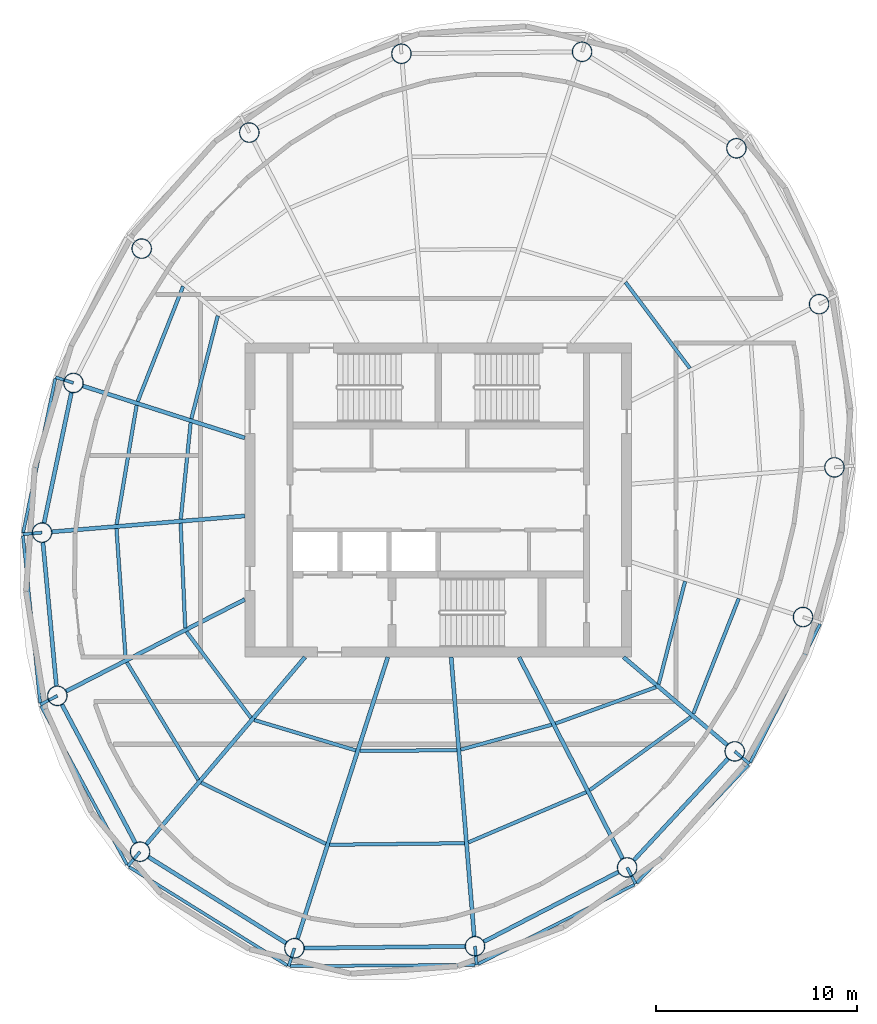
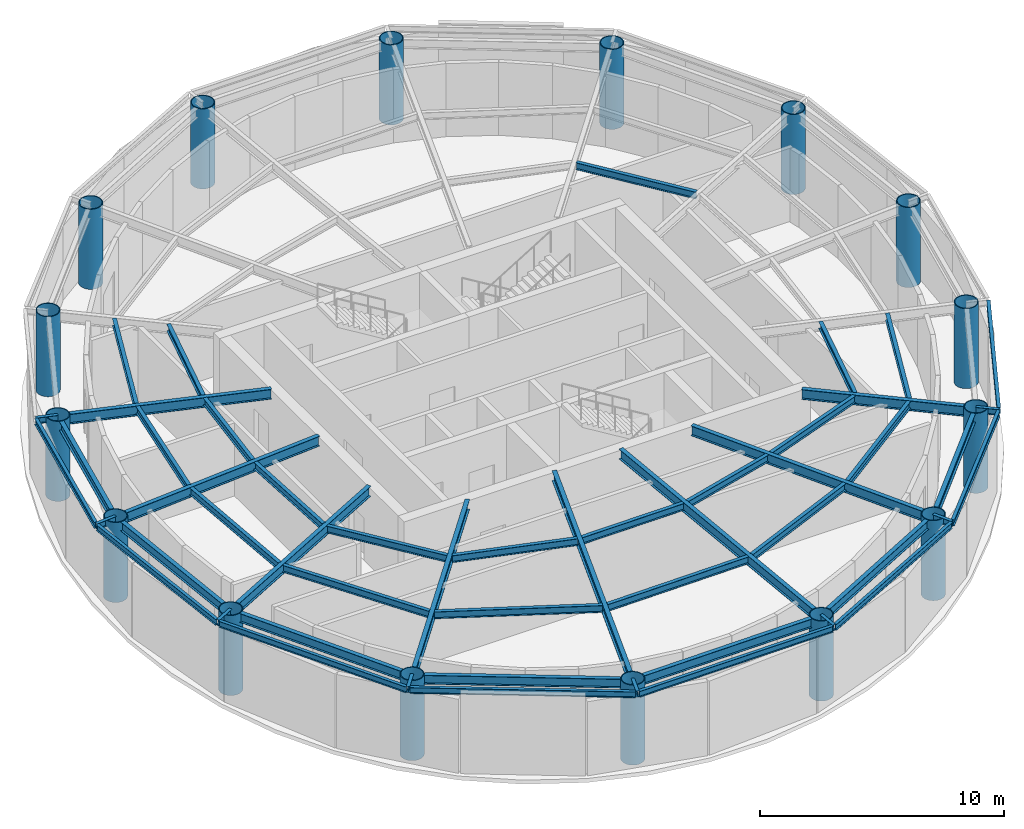
# One storey, part 1 of 6: 50 beams, 16 columns.
"""IFC4 building model written with IfcOpenShell, lengths in metres."""

from ifc_helpers import new_model, si_unit, direction, frame, origin, origin_2d, place, context, subcontext, project, spatial, hollow_circle, i_section, extrude, material, material_profile, profile_set, type_object, element, save


model = new_model("IFC4")

# Units and contexts
model_context = context("Model", 3, precision=1e-05, world=origin(), true_north=direction((0.0, 1.0)))
body_context = subcontext(model_context, "Body", "Model", "MODEL_VIEW")
ifc_project = project(units=[si_unit("LENGTHUNIT", "METRE"), si_unit("AREAUNIT", "SQUARE_METRE"), si_unit("VOLUMEUNIT", "CUBIC_METRE"), si_unit("PLANEANGLEUNIT", "RADIAN"), si_unit("MASSUNIT", "GRAM", prefix="KILO")], contexts=[model_context])

# Site, building, storey
site_placement = place(None, origin())
site = spatial("IfcSite", under=ifc_project, at=site_placement, CompositionType="ELEMENT")
building_placement = place(site_placement, origin())
building = spatial("IfcBuilding", under=site, at=building_placement, Name="Vermilion Reach Broadcast Tower", CompositionType="ELEMENT")
storey_placement = place(building_placement, frame((0.0, 0.0, 308.699951171875)))
storey = spatial("IfcBuildingStorey", under=building, at=storey_placement, Name="L77 CROWN", CompositionType="ELEMENT", Elevation=308.699951171875)

# Columns
ifc_material_1 = material(Name="Concrete C60 infill in steel S460NL tube", Category="concrete")
ifc_material_profile_1 = material_profile(ifc_material_1, hollow_circle(Radius=0.5, WallThickness=0.0400390625, at=origin_2d()), Name="Concrete C60 infill in steel S460NL tube CFT 1000x40")
ifc_profile_set_1 = profile_set([ifc_material_profile_1], Name="Concrete C60 infill in steel S460NL tube")
column_type = type_object("IfcColumnType", Name="MC5 CFT 1000x40", PredefinedType="COLUMN", material=ifc_profile_set_1)
for number, where, z_axis, x_axis, name in (
    (1, (1.138427734375, 22.2470703125, 0.0), (0.0, 0.0, 1.0), (1.0, 0.0, 0.0), "Mega-column MC5-01"),
    (2, (-7.824951171875, 22.1494140625, 0.0), (0.0, 0.0, 1.0), (1.0, 0.0, 0.0), "Mega-column MC5-02"),
    (3, (-15.376953125, 18.23779296875, 0.0), (0.0, 0.0, 1.0), (1.0, 0.0, 0.0), "Mega-column MC5-03"),
    (4, (-20.717529296875, 12.476806640625, 0.0), (0.0, 0.0, 1.0), (1.0, 0.0, 0.0), "Mega-column MC5-04"),
    (5, (-24.10595703125, 5.809814453125, 0.0), (0.0, 0.0, 1.0), (1.0, 0.0, 0.0), "Mega-column MC5-05"),
    (6, (-25.665771484375, -1.620361328125, 0.0), (0.0, 0.0, 1.0), (1.0, 0.0, 0.0), "Mega-column MC5-06"),
    (7, (-24.905517578125, -9.72021484375, 0.0), (0.0, 0.0, 1.0), (1.0, 0.0, 0.0), "Mega-column MC5-07"),
    (8, (-20.799560546875, -17.457275390625, 0.0), (0.0, 0.0, 1.0), (1.0, 0.0, 0.0), "Mega-column MC5-08"),
    (9, (-13.138427734375, -22.2470703125, 0.0), (0.0, 0.0, 1.0), (1.0, 0.0, 0.0), "Mega-column MC5-09"),
    (10, (-4.175048828125, -22.1494140625, 0.0), (0.0, 0.0, 1.0), (1.0, 0.0, 0.0), "Mega-column MC5-10"),
    (11, (3.376953125, -18.23779296875, 0.0), (0.0, 0.0, 1.0), (1.0, 0.0, 0.0), "Mega-column MC5-11"),
    (12, (8.717529296875, -12.476806640625, 0.0), (0.0, 0.0, 1.0), (1.0, 0.0, 0.0), "Mega-column MC5-12"),
    (13, (12.10595703125, -5.809814453125, 0.0), (0.0, 0.0, 1.0), (1.0, 0.0, 0.0), "Mega-column MC5-13"),
    (14, (13.665771484375, 1.620361328125, 0.0), (0.0, 0.0, 1.0), (1.0, 0.0, 0.0), "Mega-column MC5-14"),
    (15, (12.905517578125, 9.72021484375, 0.0), (0.0, 0.0, 1.0), (1.0, 0.0, 0.0), "Mega-column MC5-15"),
    (16, (8.799560546875, 17.457275390625, 0.0), (0.0, 0.0, 1.0), (1.0, 0.0, 0.0), "Mega-column MC5-16"),
):
    element("IfcColumn", number, at=place(storey_placement, frame(where, z_axis=z_axis, x_axis=x_axis)), inside=storey, type_object=column_type, Name=name, PredefinedType="COLUMN", context=body_context, shape_type="SweptSolid", body=[
        extrude(hollow_circle(Radius=0.5, WallThickness=0.0400390625, at=origin_2d()), origin(), (0.0, 0.0, 1.0), 4.0),
    ])

# Beams
ifc_material_2 = material(Name="Steel S355J2", Category="steel")
ifc_material_profile_2 = material_profile(ifc_material_2, i_section(OverallWidth=0.14990234375, OverallDepth=0.300048828125, WebThickness=0.006591796875, FlangeThickness=0.009033203125, at=origin_2d()), Name="S355J2 HN 300x150x6.5x9")
ifc_profile_set_2 = profile_set([ifc_material_profile_2], Name="Steel S355J2")
beam_type_1 = type_object("IfcBeamType", Name="EB5 HN 300x150x6.5x9", PredefinedType="BEAM", material=ifc_profile_set_2)
beam_1_placement = place(storey_placement, frame((-25.00439453125, 6.019287109375, 3.85009765625), z_axis=(-0.204738436734, -0.978816720599, 0.0), x_axis=(0.978816720599, -0.204738436734, 0.0)))
element("IfcBeam", 17, at=beam_1_placement, inside=storey, type_object=beam_type_1, Name="Edge beam EB5-05", PredefinedType="BEAM", context=body_context, shape_type="SweptSolid", body=[
    extrude(i_section(OverallWidth=0.14990234375, OverallDepth=0.300048828125, WebThickness=0.006591796875, FlangeThickness=0.009033203125, at=origin_2d()), origin(), (0.0, 0.0, 1.0), 7.806884765625),
])
beam_2_placement = place(storey_placement, frame((-26.611083984375, -1.7734375, 3.85009765625), z_axis=(0.102011792202, -0.99478318957, 0.0), x_axis=(0.99478318957, 0.102011792202, 0.0)))
element("IfcBeam", 18, at=beam_2_placement, inside=storey, type_object=beam_type_1, Name="Edge beam EB5-06", PredefinedType="BEAM", context=body_context, shape_type="SweptSolid", body=[
    extrude(i_section(OverallWidth=0.14990234375, OverallDepth=0.300048828125, WebThickness=0.006591796875, FlangeThickness=0.009033203125, at=origin_2d()), origin(), (0.0, 0.0, 1.0), 8.34521484375),
])
beam_3_placement = place(storey_placement, frame((-25.7158203125, -10.22119140625, 3.85009765625), z_axis=(0.476526173128, -0.879160284774, 0.0), x_axis=(0.879160284774, 0.476526173128, 0.0)))
element("IfcBeam", 19, at=beam_3_placement, inside=storey, type_object=beam_type_1, Name="Edge beam EB5-07", PredefinedType="BEAM", context=body_context, shape_type="SweptSolid", body=[
    extrude(i_section(OverallWidth=0.14990234375, OverallDepth=0.300048828125, WebThickness=0.006591796875, FlangeThickness=0.009033203125, at=origin_2d()), origin(), (0.0, 0.0, 1.0), 8.9638671875),
])
beam_4_placement = place(storey_placement, frame((-21.341552734375, -18.212646484375, 3.85009765625), z_axis=(0.848928421209, -0.528507838791, 0.0), x_axis=(0.528507838791, 0.848928421209, 0.0)))
element("IfcBeam", 20, at=beam_4_placement, inside=storey, type_object=beam_type_1, Name="Edge beam EB5-08", PredefinedType="BEAM", context=body_context, shape_type="SweptSolid", body=[
    extrude(i_section(OverallWidth=0.14990234375, OverallDepth=0.300048828125, WebThickness=0.006591796875, FlangeThickness=0.009033203125, at=origin_2d()), origin(), (0.0, 0.0, 1.0), 9.24755859375),
])
beam_5_placement = place(storey_placement, frame((-13.346435546875, -23.140380859375, 3.85009765625), z_axis=(0.999971629622, 0.007532592595, 0.0), x_axis=(-0.007532592595, 0.999971629622, 0.0)))
element("IfcBeam", 21, at=beam_5_placement, inside=storey, type_object=beam_type_1, Name="Edge beam EB5-09", PredefinedType="BEAM", context=body_context, shape_type="SweptSolid", body=[
    extrude(i_section(OverallWidth=0.14990234375, OverallDepth=0.300048828125, WebThickness=0.006591796875, FlangeThickness=0.009033203125, at=origin_2d()), origin(), (0.0, 0.0, 1.0), 9.17236328125),
])
beam_6_placement = place(storey_placement, frame((-4.02685546875, -23.033935546875, 3.85009765625), z_axis=(0.891604217889, 0.452815545936, 0.0), x_axis=(-0.452815545936, 0.891604217889, 0.0)))
element("IfcBeam", 22, at=beam_6_placement, inside=storey, type_object=beam_type_1, Name="Edge beam EB5-10", PredefinedType="BEAM", context=body_context, shape_type="SweptSolid", body=[
    extrude(i_section(OverallWidth=0.14990234375, OverallDepth=0.300048828125, WebThickness=0.006591796875, FlangeThickness=0.009033203125, at=origin_2d()), origin(), (0.0, 0.0, 1.0), 8.70263671875),
])
beam_7_placement = place(storey_placement, frame((3.85400390625, -19.001708984375, 3.85009765625), z_axis=(0.687701793008, 0.725993280888, 0.0), x_axis=(-0.725993280888, 0.687701793008, 0.0)))
element("IfcBeam", 23, at=beam_7_placement, inside=storey, type_object=beam_type_1, Name="Edge beam EB5-11", PredefinedType="BEAM", context=body_context, shape_type="SweptSolid", body=[
    extrude(i_section(OverallWidth=0.14990234375, OverallDepth=0.300048828125, WebThickness=0.006591796875, FlangeThickness=0.009033203125, at=origin_2d()), origin(), (0.0, 0.0, 1.0), 8.05908203125),
])
beam_8_placement = place(storey_placement, frame((9.48291015625, -13.02734375, 3.85009765625), z_axis=(0.451232435887, 0.892406459414, 0.0), x_axis=(-0.892406459414, 0.451232435887, 0.0)))
element("IfcBeam", 24, at=beam_8_placement, inside=storey, type_object=beam_type_1, Name="Edge beam EB5-12", PredefinedType="BEAM", context=body_context, shape_type="SweptSolid", body=[
    extrude(i_section(OverallWidth=0.14990234375, OverallDepth=0.300048828125, WebThickness=0.006591796875, FlangeThickness=0.009033203125, at=origin_2d()), origin(), (0.0, 0.0, 1.0), 7.6943359375),
])
ifc_material_3 = material(Name="Steel S355J2", Category="steel")
ifc_material_profile_3 = material_profile(ifc_material_3, i_section(OverallWidth=0.199951171875, OverallDepth=0.5, WebThickness=0.010009765625, FlangeThickness=0.01611328125, at=origin_2d()), Name="S355J2 HN 500x200x10x16")
ifc_profile_set_3 = profile_set([ifc_material_profile_3], Name="Steel S355J2")
beam_type_2 = type_object("IfcBeamType", Name="G5 HN 500x200x10x16", PredefinedType="BEAM", material=ifc_profile_set_3)
beam_9_placement = place(storey_placement, frame((-15.60009765625, 3.080322265625, 3.75), z_axis=(-0.952178453449, 0.305542456604, 0.0), x_axis=(-0.305542456604, -0.952178453449, 0.0)))
element("IfcBeam", 25, at=beam_9_placement, inside=storey, type_object=beam_type_2, Name="Girder G5-05", PredefinedType="BEAM", context=body_context, shape_type="SweptSolid", body=[
    extrude(i_section(OverallWidth=0.199951171875, OverallDepth=0.5, WebThickness=0.010009765625, FlangeThickness=0.01611328125, at=origin_2d()), origin(), (0.0, 0.0, 1.0), 8.43310546875),
])
beam_10_placement = place(storey_placement, frame((-15.60009765625, -0.791015625, 3.75), z_axis=(-0.996624410075, -0.082096195058, 0.0), x_axis=(0.082096195058, -0.996624410075, 0.0)))
element("IfcBeam", 26, at=beam_10_placement, inside=storey, type_object=beam_type_2, Name="Girder G5-06", PredefinedType="BEAM", context=body_context, shape_type="SweptSolid", body=[
    extrude(i_section(OverallWidth=0.199951171875, OverallDepth=0.5, WebThickness=0.010009765625, FlangeThickness=0.01611328125, at=origin_2d()), origin(), (0.0, 0.0, 1.0), 9.599609375),
])
beam_11_placement = place(storey_placement, frame((-15.60009765625, -4.935791015625, 3.75), z_axis=(-0.889332502449, -0.457261085254, 0.0), x_axis=(0.457261085254, -0.889332502449, 0.0)))
element("IfcBeam", 27, at=beam_11_placement, inside=storey, type_object=beam_type_2, Name="Girder G5-07", PredefinedType="BEAM", context=body_context, shape_type="SweptSolid", body=[
    extrude(i_section(OverallWidth=0.199951171875, OverallDepth=0.5, WebThickness=0.010009765625, FlangeThickness=0.01611328125, at=origin_2d()), origin(), (0.0, 0.0, 1.0), 9.96337890625),
])
beam_12_placement = place(storey_placement, frame((-12.612548828125, -7.800048828125, 3.75), z_axis=(-0.646658335602, -0.762779782766, 0.0), x_axis=(0.762779782766, -0.646658335602, 0.0)))
element("IfcBeam", 28, at=beam_12_placement, inside=storey, type_object=beam_type_2, Name="Girder G5-08", PredefinedType="BEAM", context=body_context, shape_type="SweptSolid", body=[
    extrude(i_section(OverallWidth=0.199951171875, OverallDepth=0.5, WebThickness=0.010009765625, FlangeThickness=0.01611328125, at=origin_2d()), origin(), (0.0, 0.0, 1.0), 12.16064453125),
])
beam_13_placement = place(storey_placement, frame((-8.502685546875, -7.800048828125, 3.75), z_axis=(-0.305545401295, -0.952177508528, 0.0), x_axis=(0.952177508528, -0.305545401295, 0.0)))
element("IfcBeam", 29, at=beam_13_placement, inside=storey, type_object=beam_type_2, Name="Girder G5-09", PredefinedType="BEAM", context=body_context, shape_type="SweptSolid", body=[
    extrude(i_section(OverallWidth=0.199951171875, OverallDepth=0.5, WebThickness=0.010009765625, FlangeThickness=0.01611328125, at=origin_2d()), origin(), (0.0, 0.0, 1.0), 14.672607421875),
])
beam_14_placement = place(storey_placement, frame((-5.357421875, -7.800048828125, 3.75), z_axis=(0.082123744247, -0.996622140347, 0.0), x_axis=(0.996622140347, 0.082123744247, 0.0)))
element("IfcBeam", 30, at=beam_14_placement, inside=storey, type_object=beam_type_2, Name="Girder G5-10", PredefinedType="BEAM", context=body_context, shape_type="SweptSolid", body=[
    extrude(i_section(OverallWidth=0.199951171875, OverallDepth=0.5, WebThickness=0.010009765625, FlangeThickness=0.01611328125, at=origin_2d()), origin(), (0.0, 0.0, 1.0), 13.89794921875),
])
beam_15_placement = place(storey_placement, frame((-1.989501953125, -7.800048828125, 3.75), z_axis=(0.457258168112, -0.889334002327, 0.0), x_axis=(0.889334002327, 0.457258168112, 0.0)))
element("IfcBeam", 31, at=beam_15_placement, inside=storey, type_object=beam_type_2, Name="Girder G5-11", PredefinedType="BEAM", context=body_context, shape_type="SweptSolid", body=[
    extrude(i_section(OverallWidth=0.199951171875, OverallDepth=0.5, WebThickness=0.010009765625, FlangeThickness=0.01611328125, at=origin_2d()), origin(), (0.0, 0.0, 1.0), 11.236328125),
])
beam_16_placement = place(storey_placement, frame((3.20068359375, -7.800048828125, 3.75), z_axis=(0.762793125612, -0.646642596431, 0.0), x_axis=(0.646642596431, 0.762793125612, 0.0)))
element("IfcBeam", 32, at=beam_16_placement, inside=storey, type_object=beam_type_2, Name="Girder G5-12", PredefinedType="BEAM", context=body_context, shape_type="SweptSolid", body=[
    extrude(i_section(OverallWidth=0.199951171875, OverallDepth=0.5, WebThickness=0.010009765625, FlangeThickness=0.01611328125, at=origin_2d()), origin(), (0.0, 0.0, 1.0), 6.732421875),
])
ifc_material_4 = material(Name="Steel S355J2", Category="steel")
ifc_material_profile_4 = material_profile(ifc_material_4, i_section(OverallWidth=0.14990234375, OverallDepth=0.300048828125, WebThickness=0.006591796875, FlangeThickness=0.009033203125, at=origin_2d()), Name="S355J2 HN 300x150x6.5x9")
ifc_profile_set_4 = profile_set([ifc_material_profile_4], Name="Steel S355J2")
beam_type_3 = type_object("IfcBeamType", Name="GS5 HN 300x150x6.5x9", PredefinedType="BEAM", material=ifc_profile_set_4)
beam_17_placement = place(storey_placement, frame((-24.10595703125, 5.809814453125, 3.85009765625), z_axis=(-0.952228317443, 0.305387019141, 0.0), x_axis=(-0.305387019141, -0.952228317443, 0.0)))
element("IfcBeam", 33, at=beam_17_placement, inside=storey, type_object=beam_type_3, Name="Cantilever stub GS5-05", PredefinedType="BEAM", context=body_context, shape_type="SweptSolid", body=[
    extrude(i_section(OverallWidth=0.14990234375, OverallDepth=0.300048828125, WebThickness=0.006591796875, FlangeThickness=0.009033203125, at=origin_2d()), origin(), (0.0, 0.0, 1.0), 0.92724609375),
])
beam_18_placement = place(storey_placement, frame((-25.665771484375, -1.620361328125, 3.85009765625), z_axis=(-0.996634988565, -0.081967673925, 0.0), x_axis=(0.081967673925, -0.996634988565, 0.0)))
element("IfcBeam", 34, at=beam_18_placement, inside=storey, type_object=beam_type_3, Name="Cantilever stub GS5-06", PredefinedType="BEAM", context=body_context, shape_type="SweptSolid", body=[
    extrude(i_section(OverallWidth=0.14990234375, OverallDepth=0.300048828125, WebThickness=0.006591796875, FlangeThickness=0.009033203125, at=origin_2d()), origin(), (0.0, 0.0, 1.0), 0.9560546875),
])
beam_19_placement = place(storey_placement, frame((-24.905517578125, -9.72021484375, 3.85009765625), z_axis=(-0.88934146644, -0.457243650662, 0.0), x_axis=(0.457243650662, -0.88934146644, 0.0)))
element("IfcBeam", 35, at=beam_19_placement, inside=storey, type_object=beam_type_3, Name="Cantilever stub GS5-07", PredefinedType="BEAM", context=body_context, shape_type="SweptSolid", body=[
    extrude(i_section(OverallWidth=0.14990234375, OverallDepth=0.300048828125, WebThickness=0.006591796875, FlangeThickness=0.009033203125, at=origin_2d()), origin(), (0.0, 0.0, 1.0), 0.951416015625),
])
beam_20_placement = place(storey_placement, frame((-20.799560546875, -17.457275390625, 3.85009765625), z_axis=(-0.646665495652, -0.762773712665, 0.0), x_axis=(0.762773712665, -0.646665495652, 0.0)))
element("IfcBeam", 36, at=beam_20_placement, inside=storey, type_object=beam_type_3, Name="Cantilever stub GS5-08", PredefinedType="BEAM", context=body_context, shape_type="SweptSolid", body=[
    extrude(i_section(OverallWidth=0.14990234375, OverallDepth=0.300048828125, WebThickness=0.006591796875, FlangeThickness=0.009033203125, at=origin_2d()), origin(), (0.0, 0.0, 1.0), 0.937744140625),
])
beam_21_placement = place(storey_placement, frame((-13.138427734375, -22.2470703125, 3.85009765625), z_axis=(-0.305596628184, -0.95216106875, 0.0), x_axis=(0.95216106875, -0.305596628184, 0.0)))
element("IfcBeam", 37, at=beam_21_placement, inside=storey, type_object=beam_type_3, Name="Cantilever stub GS5-09", PredefinedType="BEAM", context=body_context, shape_type="SweptSolid", body=[
    extrude(i_section(OverallWidth=0.14990234375, OverallDepth=0.300048828125, WebThickness=0.006591796875, FlangeThickness=0.009033203125, at=origin_2d()), origin(), (0.0, 0.0, 1.0), 0.938720703125),
])
beam_22_placement = place(storey_placement, frame((-4.175048828125, -22.1494140625, 3.85009765625), z_axis=(0.082149174093, -0.996620044548, 0.0), x_axis=(0.996620044548, 0.082149174093, 0.0)))
element("IfcBeam", 38, at=beam_22_placement, inside=storey, type_object=beam_type_3, Name="Cantilever stub GS5-10", PredefinedType="BEAM", context=body_context, shape_type="SweptSolid", body=[
    extrude(i_section(OverallWidth=0.14990234375, OverallDepth=0.300048828125, WebThickness=0.006591796875, FlangeThickness=0.009033203125, at=origin_2d()), origin(), (0.0, 0.0, 1.0), 0.92431640625),
])
beam_23_placement = place(storey_placement, frame((3.376953125, -18.23779296875, 3.85009765625), z_axis=(0.457228572872, -0.889349218333, 0.0), x_axis=(0.889349218333, 0.457228572872, 0.0)))
element("IfcBeam", 39, at=beam_23_placement, inside=storey, type_object=beam_type_3, Name="Cantilever stub GS5-11", PredefinedType="BEAM", context=body_context, shape_type="SweptSolid", body=[
    extrude(i_section(OverallWidth=0.14990234375, OverallDepth=0.300048828125, WebThickness=0.006591796875, FlangeThickness=0.009033203125, at=origin_2d()), origin(), (0.0, 0.0, 1.0), 0.923828125),
])
beam_24_placement = place(storey_placement, frame((8.717529296875, -12.476806640625, 3.85009765625), z_axis=(0.762718692688, -0.64673038882, 0.0), x_axis=(0.64673038882, 0.762718692688, 0.0)))
element("IfcBeam", 40, at=beam_24_placement, inside=storey, type_object=beam_type_3, Name="Cantilever stub GS5-12", PredefinedType="BEAM", context=body_context, shape_type="SweptSolid", body=[
    extrude(i_section(OverallWidth=0.14990234375, OverallDepth=0.300048828125, WebThickness=0.006591796875, FlangeThickness=0.009033203125, at=origin_2d()), origin(), (0.0, 0.0, 1.0), 0.957763671875),
])
ifc_material_5 = material(Name="Steel S355J2", Category="steel")
ifc_material_profile_5 = material_profile(ifc_material_5, i_section(OverallWidth=0.199951171875, OverallDepth=0.449951171875, WebThickness=0.009033203125, FlangeThickness=0.013916015625, at=origin_2d()), Name="S355J2 HN 450x200x9x14")
ifc_profile_set_5 = profile_set([ifc_material_profile_5], Name="Steel S355J2")
beam_type_4 = type_object("IfcBeamType", Name="RB5 HN 450x200x9x14", PredefinedType="BEAM", material=ifc_profile_set_5)
beam_25_placement = place(storey_placement, frame((-24.208740234375, 5.3203125, 3.775146484375), z_axis=(-0.205444869285, -0.978668690459, 0.0), x_axis=(0.978668690459, -0.205444869285, 0.0)))
element("IfcBeam", 41, at=beam_25_placement, inside=storey, type_object=beam_type_4, Name="Ring beam RB5-05", PredefinedType="BEAM", context=body_context, shape_type="SweptSolid", body=[
    extrude(i_section(OverallWidth=0.199951171875, OverallDepth=0.449951171875, WebThickness=0.009033203125, FlangeThickness=0.013916015625, at=origin_2d()), origin(), (0.0, 0.0, 1.0), 6.591796875),
])
beam_26_placement = place(storey_placement, frame((-25.618896484375, -2.1181640625, 3.775146484375), z_axis=(0.093441399272, -0.995624781181, 0.0), x_axis=(0.995624781181, 0.093441399272, 0.0)))
element("IfcBeam", 42, at=beam_26_placement, inside=storey, type_object=beam_type_4, Name="Ring beam RB5-06", PredefinedType="BEAM", context=body_context, shape_type="SweptSolid", body=[
    extrude(i_section(OverallWidth=0.199951171875, OverallDepth=0.449951171875, WebThickness=0.009033203125, FlangeThickness=0.013916015625, at=origin_2d()), origin(), (0.0, 0.0, 1.0), 7.135498046875),
])
beam_27_placement = place(storey_placement, frame((-24.671142578125, -10.161865234375, 3.775146484375), z_axis=(0.468767917375, -0.883321368269, 0.0), x_axis=(0.883321368269, 0.468767917375, 0.0)))
element("IfcBeam", 43, at=beam_27_placement, inside=storey, type_object=beam_type_4, Name="Ring beam RB5-07", PredefinedType="BEAM", context=body_context, shape_type="SweptSolid", body=[
    extrude(i_section(OverallWidth=0.199951171875, OverallDepth=0.449951171875, WebThickness=0.009033203125, FlangeThickness=0.013916015625, at=origin_2d()), origin(), (0.0, 0.0, 1.0), 7.759033203125),
])
beam_28_placement = place(storey_placement, frame((-20.375732421875, -17.722412109375, 3.775146484375), z_axis=(0.847914653245, -0.530132757724, 0.0), x_axis=(0.530132757724, 0.847914653245, 0.0)))
element("IfcBeam", 44, at=beam_28_placement, inside=storey, type_object=beam_type_4, Name="Ring beam RB5-08", PredefinedType="BEAM", context=body_context, shape_type="SweptSolid", body=[
    extrude(i_section(OverallWidth=0.199951171875, OverallDepth=0.449951171875, WebThickness=0.009033203125, FlangeThickness=0.013916015625, at=origin_2d()), origin(), (0.0, 0.0, 1.0), 8.035400390625),
])
beam_29_placement = place(storey_placement, frame((-12.638427734375, -22.24169921875, 3.775146484375), z_axis=(0.999940445231, 0.010913569149, 0.0), x_axis=(-0.010913569149, 0.999940445231, 0.0)))
element("IfcBeam", 45, at=beam_29_placement, inside=storey, type_object=beam_type_4, Name="Ring beam RB5-09", PredefinedType="BEAM", context=body_context, shape_type="SweptSolid", body=[
    extrude(i_section(OverallWidth=0.199951171875, OverallDepth=0.449951171875, WebThickness=0.009033203125, FlangeThickness=0.013916015625, at=origin_2d()), origin(), (0.0, 0.0, 1.0), 7.9638671875),
])
beam_30_placement = place(storey_placement, frame((-3.731201171875, -21.91943359375, 3.775146484375), z_axis=(0.887960248279, 0.459920207729, 0.0), x_axis=(-0.459920207729, 0.887960248279, 0.0)))
element("IfcBeam", 46, at=beam_30_placement, inside=storey, type_object=beam_type_4, Name="Ring beam RB5-10", PredefinedType="BEAM", context=body_context, shape_type="SweptSolid", body=[
    extrude(i_section(OverallWidth=0.199951171875, OverallDepth=0.449951171875, WebThickness=0.009033203125, FlangeThickness=0.013916015625, at=origin_2d()), origin(), (0.0, 0.0, 1.0), 7.5048828125),
])
beam_31_placement = place(storey_placement, frame((3.716796875, -17.87109375, 3.775146484375), z_axis=(0.679837550075, 0.733362738014, 0.0), x_axis=(-0.733362738014, 0.679837550075, 0.0)))
element("IfcBeam", 47, at=beam_31_placement, inside=storey, type_object=beam_type_4, Name="Ring beam RB5-11", PredefinedType="BEAM", context=body_context, shape_type="SweptSolid", body=[
    extrude(i_section(OverallWidth=0.199951171875, OverallDepth=0.449951171875, WebThickness=0.009033203125, FlangeThickness=0.013916015625, at=origin_2d()), origin(), (0.0, 0.0, 1.0), 6.85546875),
])
ifc_material_6 = material(Name="Steel S355J2", Category="steel")
ifc_material_profile_6 = material_profile(ifc_material_6, i_section(OverallWidth=0.175048828125, OverallDepth=0.35009765625, WebThickness=0.007080078125, FlangeThickness=0.010986328125, at=origin_2d()), Name="S355J2 HN 350x175x7x11")
ifc_profile_set_6 = profile_set([ifc_material_profile_6], Name="Steel S355J2")
beam_type_5 = type_object("IfcBeamType", Name="SB5 HN 350x175x7x11", PredefinedType="BEAM", material=ifc_profile_set_6)
beam_32_placement = place(storey_placement, frame((-16.940185546875, 9.1435546875, 3.824951171875), z_axis=(-0.248729575729, -0.968572969971, 0.0), x_axis=(0.968572969971, -0.248729575729, 0.0)))
element("IfcBeam", 48, at=beam_32_placement, inside=storey, type_object=beam_type_5, Name="Secondary beam SB5-04-1", PredefinedType="BEAM", context=body_context, shape_type="SweptSolid", body=[
    extrude(i_section(OverallWidth=0.175048828125, OverallDepth=0.35009765625, WebThickness=0.007080078125, FlangeThickness=0.010986328125, at=origin_2d()), origin(), (0.0, 0.0, 1.0), 5.27294921875),
])
beam_33_placement = place(storey_placement, frame((-18.6630859375, 10.604248046875, 3.824951171875), z_axis=(-0.366931189603, -0.930248086317, 0.0), x_axis=(0.930248086317, -0.366931189603, 0.0)))
element("IfcBeam", 49, at=beam_33_placement, inside=storey, type_object=beam_type_5, Name="Secondary beam SB5-04-2", PredefinedType="BEAM", context=body_context, shape_type="SweptSolid", body=[
    extrude(i_section(OverallWidth=0.175048828125, OverallDepth=0.35009765625, WebThickness=0.007080078125, FlangeThickness=0.010986328125, at=origin_2d()), origin(), (0.0, 0.0, 1.0), 6.141357421875),
])
beam_34_placement = place(storey_placement, frame((-18.287109375, 3.837646484375, 3.824951171875), z_axis=(-0.102113775264, -0.994772726255, 0.0), x_axis=(0.994772726255, -0.102113775264, 0.0)))
element("IfcBeam", 50, at=beam_34_placement, inside=storey, type_object=beam_type_5, Name="Secondary beam SB5-05-1", PredefinedType="BEAM", context=body_context, shape_type="SweptSolid", body=[
    extrude(i_section(OverallWidth=0.175048828125, OverallDepth=0.35009765625, WebThickness=0.007080078125, FlangeThickness=0.010986328125, at=origin_2d()), origin(), (0.0, 0.0, 1.0), 4.815185546875),
])
beam_35_placement = place(storey_placement, frame((-20.969970703125, 4.698486328125, 3.824951171875), z_axis=(-0.16532337011, -0.986239414795, 0.0), x_axis=(0.986239414795, -0.16532337011, 0.0)))
element("IfcBeam", 51, at=beam_35_placement, inside=storey, type_object=beam_type_5, Name="Secondary beam SB5-05-2", PredefinedType="BEAM", context=body_context, shape_type="SweptSolid", body=[
    extrude(i_section(OverallWidth=0.175048828125, OverallDepth=0.35009765625, WebThickness=0.007080078125, FlangeThickness=0.010986328125, at=origin_2d()), origin(), (0.0, 0.0, 1.0), 5.99560546875),
])
beam_36_placement = place(storey_placement, frame((-18.78466796875, -1.153564453125, 3.824951171875), z_axis=(0.043557530017, -0.999050920413, 0.0), x_axis=(0.999050920413, 0.043557530017, 0.0)))
element("IfcBeam", 52, at=beam_36_placement, inside=storey, type_object=beam_type_5, Name="Secondary beam SB5-06-1", PredefinedType="BEAM", context=body_context, shape_type="SweptSolid", body=[
    extrude(i_section(OverallWidth=0.175048828125, OverallDepth=0.35009765625, WebThickness=0.007080078125, FlangeThickness=0.010986328125, at=origin_2d()), origin(), (0.0, 0.0, 1.0), 5.19580078125),
])
beam_37_placement = place(storey_placement, frame((-21.97119140625, -1.416259765625, 3.824951171875), z_axis=(0.070586780458, -0.997505642302, 0.0), x_axis=(0.997505642302, 0.070586780458, 0.0)))
element("IfcBeam", 53, at=beam_37_placement, inside=storey, type_object=beam_type_5, Name="Secondary beam SB5-06-2", PredefinedType="BEAM", context=body_context, shape_type="SweptSolid", body=[
    extrude(i_section(OverallWidth=0.175048828125, OverallDepth=0.35009765625, WebThickness=0.007080078125, FlangeThickness=0.010986328125, at=origin_2d()), origin(), (0.0, 0.0, 1.0), 6.46435546875),
])
beam_38_placement = place(storey_placement, frame((-18.492919921875, -6.53564453125, 3.824951171875), z_axis=(0.599055582645, -0.800707442767, 0.0), x_axis=(0.800707442767, 0.599055582645, 0.0)))
element("IfcBeam", 54, at=beam_38_placement, inside=storey, type_object=beam_type_5, Name="Secondary beam SB5-07-1", PredefinedType="BEAM", context=body_context, shape_type="SweptSolid", body=[
    extrude(i_section(OverallWidth=0.175048828125, OverallDepth=0.35009765625, WebThickness=0.007080078125, FlangeThickness=0.010986328125, at=origin_2d()), origin(), (0.0, 0.0, 1.0), 5.337890625),
])
beam_39_placement = place(storey_placement, frame((-21.455078125, -8.058837890625, 3.824951171875), z_axis=(0.519272962556, -0.854608442714, 0.0), x_axis=(0.854608442714, 0.519272962556, 0.0)))
element("IfcBeam", 55, at=beam_39_placement, inside=storey, type_object=beam_type_5, Name="Secondary beam SB5-07-2", PredefinedType="BEAM", context=body_context, shape_type="SweptSolid", body=[
    extrude(i_section(OverallWidth=0.175048828125, OverallDepth=0.35009765625, WebThickness=0.007080078125, FlangeThickness=0.010986328125, at=origin_2d()), origin(), (0.0, 0.0, 1.0), 6.82763671875),
])
beam_40_placement = place(storey_placement, frame((-15.129150390625, -10.92333984375, 3.824951171875), z_axis=(0.958124906971, -0.286350593925, 0.0), x_axis=(0.286350593925, 0.958124906971, 0.0)))
element("IfcBeam", 56, at=beam_40_placement, inside=storey, type_object=beam_type_5, Name="Secondary beam SB5-08-1", PredefinedType="BEAM", context=body_context, shape_type="SweptSolid", body=[
    extrude(i_section(OverallWidth=0.175048828125, OverallDepth=0.35009765625, WebThickness=0.007080078125, FlangeThickness=0.010986328125, at=origin_2d()), origin(), (0.0, 0.0, 1.0), 5.25634765625),
])
beam_41_placement = place(storey_placement, frame((-17.762451171875, -14.029541015625, 3.824951171875), z_axis=(0.897335928087, -0.441348198325, 0.0), x_axis=(0.441348198325, 0.897335928087, 0.0)))
element("IfcBeam", 57, at=beam_41_placement, inside=storey, type_object=beam_type_5, Name="Secondary beam SB5-08-2", PredefinedType="BEAM", context=body_context, shape_type="SweptSolid", body=[
    extrude(i_section(OverallWidth=0.175048828125, OverallDepth=0.35009765625, WebThickness=0.007080078125, FlangeThickness=0.010986328125, at=origin_2d()), origin(), (0.0, 0.0, 1.0), 6.887451171875),
])
beam_42_placement = place(storey_placement, frame((-9.891845703125, -12.4560546875, 3.824951171875), z_axis=(0.999968312294, 0.007960804474, 0.0), x_axis=(-0.007960804474, 0.999968312294, 0.0)))
element("IfcBeam", 58, at=beam_42_placement, inside=storey, type_object=beam_type_5, Name="Secondary beam SB5-09-1", PredefinedType="BEAM", context=body_context, shape_type="SweptSolid", body=[
    extrude(i_section(OverallWidth=0.175048828125, OverallDepth=0.35009765625, WebThickness=0.007080078125, FlangeThickness=0.010986328125, at=origin_2d()), origin(), (0.0, 0.0, 1.0), 4.81494140625),
])
beam_43_placement = place(storey_placement, frame((-11.385986328125, -17.11279296875, 3.824951171875), z_axis=(0.999932654133, 0.011605481368, 0.0), x_axis=(-0.011605481368, 0.999932654133, 0.0)))
element("IfcBeam", 59, at=beam_43_placement, inside=storey, type_object=beam_type_5, Name="Secondary beam SB5-09-2", PredefinedType="BEAM", context=body_context, shape_type="SweptSolid", body=[
    extrude(i_section(OverallWidth=0.175048828125, OverallDepth=0.35009765625, WebThickness=0.007080078125, FlangeThickness=0.010986328125, at=origin_2d()), origin(), (0.0, 0.0, 1.0), 6.689697265625),
])
beam_44_placement = place(storey_placement, frame((-4.87890625, -12.39013671875, 3.824951171875), z_axis=(0.964547496851, 0.263909314573, 0.0), x_axis=(-0.263909314573, 0.964547496851, 0.0)))
element("IfcBeam", 60, at=beam_44_placement, inside=storey, type_object=beam_type_5, Name="Secondary beam SB5-10-1", PredefinedType="BEAM", context=body_context, shape_type="SweptSolid", body=[
    extrude(i_section(OverallWidth=0.175048828125, OverallDepth=0.35009765625, WebThickness=0.007080078125, FlangeThickness=0.010986328125, at=origin_2d()), origin(), (0.0, 0.0, 1.0), 4.6689453125),
])
beam_45_placement = place(storey_placement, frame((-4.49951171875, -16.99267578125, 3.824951171875), z_axis=(0.919880986172, 0.392197617637, 0.0), x_axis=(-0.392197617637, 0.919880986172, 0.0)))
element("IfcBeam", 61, at=beam_45_placement, inside=storey, type_object=beam_type_5, Name="Secondary beam SB5-10-2", PredefinedType="BEAM", context=body_context, shape_type="SweptSolid", body=[
    extrude(i_section(OverallWidth=0.175048828125, OverallDepth=0.35009765625, WebThickness=0.007080078125, FlangeThickness=0.010986328125, at=origin_2d()), origin(), (0.0, 0.0, 1.0), 6.351806640625),
])
beam_46_placement = place(storey_placement, frame((-0.18212890625, -11.0966796875, 3.824951171875), z_axis=(0.940220108875, 0.340567389613, 0.0), x_axis=(-0.340567389613, 0.940220108875, 0.0)))
element("IfcBeam", 62, at=beam_46_placement, inside=storey, type_object=beam_type_5, Name="Secondary beam SB5-11-1", PredefinedType="BEAM", context=body_context, shape_type="SweptSolid", body=[
    extrude(i_section(OverallWidth=0.175048828125, OverallDepth=0.35009765625, WebThickness=0.007080078125, FlangeThickness=0.010986328125, at=origin_2d()), origin(), (0.0, 0.0, 1.0), 5.303466796875),
])
beam_47_placement = place(storey_placement, frame((1.517578125, -14.402587890625, 3.824951171875), z_axis=(0.809771251518, 0.586745703192, 0.0), x_axis=(-0.586745703192, 0.809771251518, 0.0)))
element("IfcBeam", 63, at=beam_47_placement, inside=storey, type_object=beam_type_5, Name="Secondary beam SB5-11-2", PredefinedType="BEAM", context=body_context, shape_type="SweptSolid", body=[
    extrude(i_section(OverallWidth=0.175048828125, OverallDepth=0.35009765625, WebThickness=0.007080078125, FlangeThickness=0.010986328125, at=origin_2d()), origin(), (0.0, 0.0, 1.0), 6.20361328125),
])
beam_48_placement = place(storey_placement, frame((4.940185546875, -9.1435546875, 3.824951171875), z_axis=(0.248729575729, 0.968572969971, 0.0), x_axis=(-0.968572969971, 0.248729575729, 0.0)))
element("IfcBeam", 64, at=beam_48_placement, inside=storey, type_object=beam_type_5, Name="Secondary beam SB5-12-1", PredefinedType="BEAM", context=body_context, shape_type="SweptSolid", body=[
    extrude(i_section(OverallWidth=0.175048828125, OverallDepth=0.35009765625, WebThickness=0.007080078125, FlangeThickness=0.010986328125, at=origin_2d()), origin(), (0.0, 0.0, 1.0), 5.27294921875),
])
beam_49_placement = place(storey_placement, frame((6.6630859375, -10.604248046875, 3.824951171875), z_axis=(0.366931189603, 0.930248086317, 0.0), x_axis=(-0.930248086317, 0.366931189603, 0.0)))
element("IfcBeam", 65, at=beam_49_placement, inside=storey, type_object=beam_type_5, Name="Secondary beam SB5-12-2", PredefinedType="BEAM", context=body_context, shape_type="SweptSolid", body=[
    extrude(i_section(OverallWidth=0.175048828125, OverallDepth=0.35009765625, WebThickness=0.007080078125, FlangeThickness=0.010986328125, at=origin_2d()), origin(), (0.0, 0.0, 1.0), 6.141357421875),
])
beam_50_placement = place(storey_placement, frame((6.492919921875, 6.53564453125, 3.824951171875), z_axis=(-0.599055582645, 0.800707442767, 0.0), x_axis=(-0.800707442767, -0.599055582645, 0.0)))
element("IfcBeam", 66, at=beam_50_placement, inside=storey, type_object=beam_type_5, Name="Secondary beam SB5-15-1", PredefinedType="BEAM", context=body_context, shape_type="SweptSolid", body=[
    extrude(i_section(OverallWidth=0.175048828125, OverallDepth=0.35009765625, WebThickness=0.007080078125, FlangeThickness=0.010986328125, at=origin_2d()), origin(), (0.0, 0.0, 1.0), 5.337890625),
])

save(model, "model.ifc")
